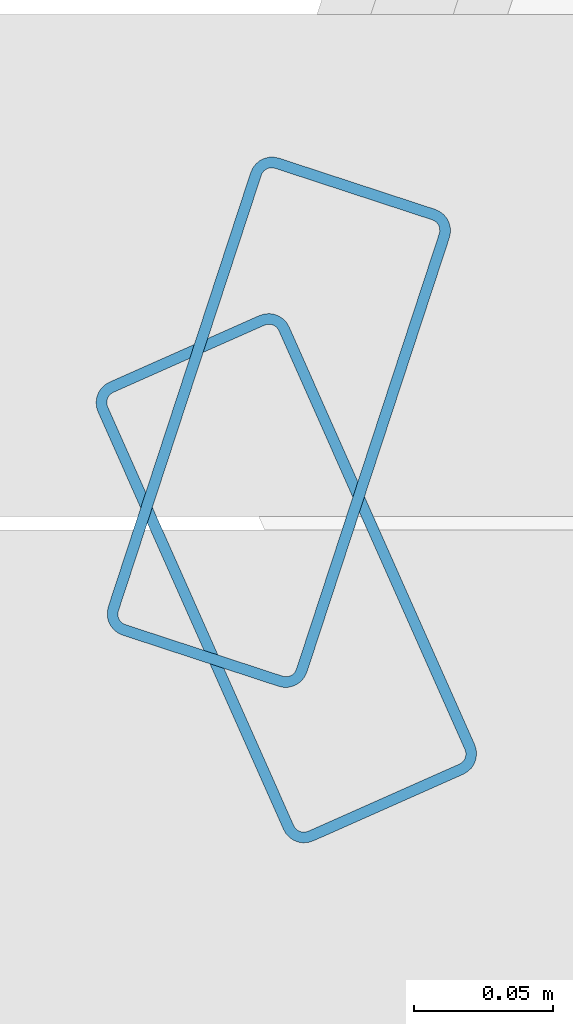
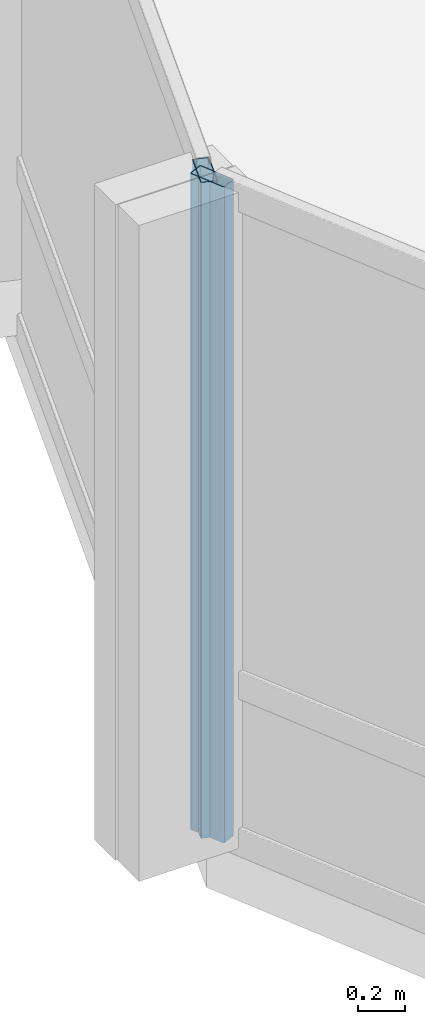
# One storey, part 6 of 29: 2 members, 2 elements without a shape of their own.
"""IFC4 building model written with IfcOpenShell, lengths in metres."""

from ifc_helpers import new_model, si_unit, direction, frame, origin, origin_2d, place, context, subcontext, project, spatial, hollow_rectangle, extrude, material, layer, layer_set, material_profile, profile_set, type_object, element, aggregate, save


model = new_model("IFC4")

# Units and contexts
model_context = context("Model", 3, precision=1e-05, world=origin(), true_north=direction((0.0, 1.0)))
body_context = subcontext(model_context, "Body", "Model", "MODEL_VIEW")
ifc_project = project(units=[si_unit("LENGTHUNIT", "METRE"), si_unit("AREAUNIT", "SQUARE_METRE"), si_unit("VOLUMEUNIT", "CUBIC_METRE"), si_unit("PLANEANGLEUNIT", "RADIAN"), si_unit("MASSUNIT", "GRAM", prefix="KILO")], contexts=[model_context])

# Site, building, storey
site_placement = place(None, origin())
site = spatial("IfcSite", under=ifc_project, at=site_placement, CompositionType="ELEMENT")
building_placement = place(site_placement, origin())
building = spatial("IfcBuilding", under=site, at=building_placement, Name="Solvaryn Broadcast Tower", CompositionType="ELEMENT")
storey_placement = place(building_placement, frame((0.0, 0.0, 113.699951171875)))
storey = spatial("IfcBuildingStorey", under=building, at=storey_placement, Name="L27", CompositionType="ELEMENT", Elevation=113.699951171875)

# Curtain wall, member
ifc_material_1 = material(Name="Aluminium and Terracotta Unitised Curtain Wall", Category="masonry")
ifc_layer = layer(ifc_material_1, 0.199951171875)
ifc_layer_set = layer_set([ifc_layer], Name="CW-SYS2-LOWMID")
curtain_wall_type = type_object("IfcCurtainWallType", Name="CW-SYS2-LOWMID", PredefinedType="NOTDEFINED", material=ifc_layer_set)
curtain_wall_1_placement = place(storey_placement, origin())
curtain_wall_1 = element("IfcCurtainWall", 1, at=curtain_wall_1_placement, inside=storey, type_object=curtain_wall_type, Name="L27 Curtain Wall DR1", PredefinedType="NOTDEFINED")
ifc_material_2 = material(Name="Anodised Aluminium 6063-T6", Category="aluminium")
ifc_material_profile = material_profile(ifc_material_2, hollow_rectangle(XDim=0.074951171875, YDim=0.179931640625, WallThickness=0.00390625, InnerFilletRadius=0.00390625, OuterFilletRadius=0.008056640625, at=origin_2d()))
ifc_profile_set = profile_set([ifc_material_profile], Name="Anodised Aluminium 6063-T6")
member_type = type_object("IfcMemberType", Name="CW-MUL-180", PredefinedType="MULLION", material=ifc_profile_set)
member_1_placement = place(storey_placement, frame((1.04345703125, 26.66455078125, 0.0), z_axis=(0.0, 0.0, 1.0), x_axis=(0.950198260794, -0.311646057547, 0.0)))
member_1 = element("IfcMember", 2, at=member_1_placement, type_object=member_type, Name="CWS2 mullion 2", PredefinedType="MULLION", context=body_context, shape_type="SweptSolid", body=[
    extrude(hollow_rectangle(XDim=0.074951171875, YDim=0.179931640625, WallThickness=0.00390625, InnerFilletRadius=0.00390625, OuterFilletRadius=0.008056640625, at=origin_2d()), origin(), (0.0, 0.0, 1.0), 3.420166015625),
])
aggregate(curtain_wall_1, [member_1])

curtain_wall_2_placement = place(storey_placement, origin())
curtain_wall_2 = element("IfcCurtainWall", 3, at=curtain_wall_2_placement, inside=storey, type_object=curtain_wall_type, Name="L27 Curtain Wall DR2", PredefinedType="NOTDEFINED")
member_2_placement = place(storey_placement, frame((1.046142578125, 26.608642578125, 0.0), z_axis=(0.0, 0.0, 1.0), x_axis=(0.913909311008, 0.405918429309, 0.0)))
member_2 = element("IfcMember", 4, at=member_2_placement, type_object=member_type, Name="CWS2 mullion 1", PredefinedType="MULLION", context=body_context, shape_type="SweptSolid", body=[
    extrude(hollow_rectangle(XDim=0.074951171875, YDim=0.179931640625, WallThickness=0.00390625, InnerFilletRadius=0.00390625, OuterFilletRadius=0.008056640625, at=origin_2d()), origin(), (0.0, 0.0, 1.0), 3.420166015625),
])
aggregate(curtain_wall_2, [member_2])

save(model, "model.ifc")
